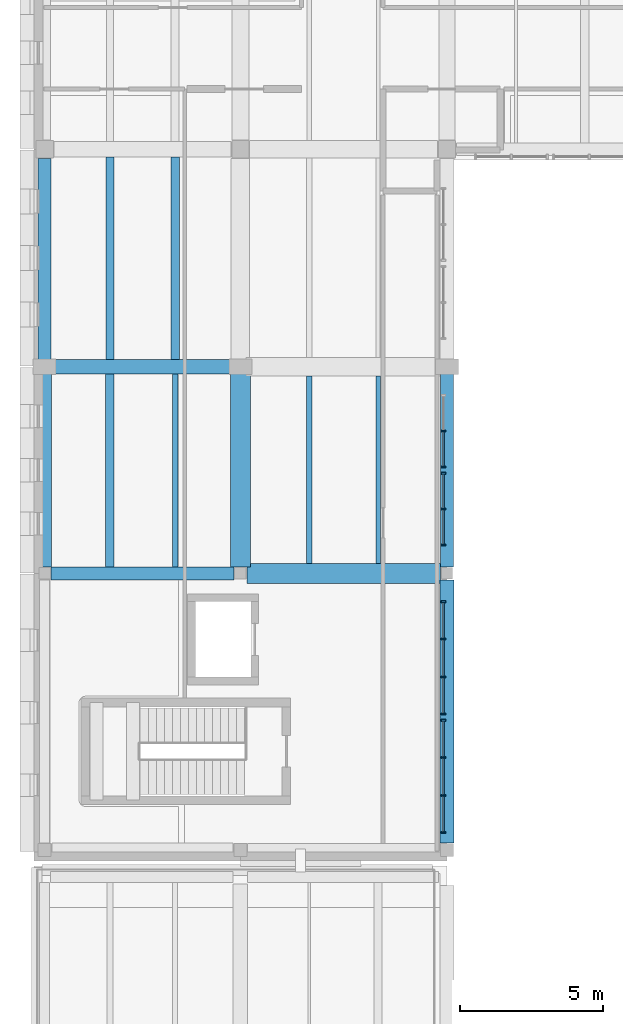
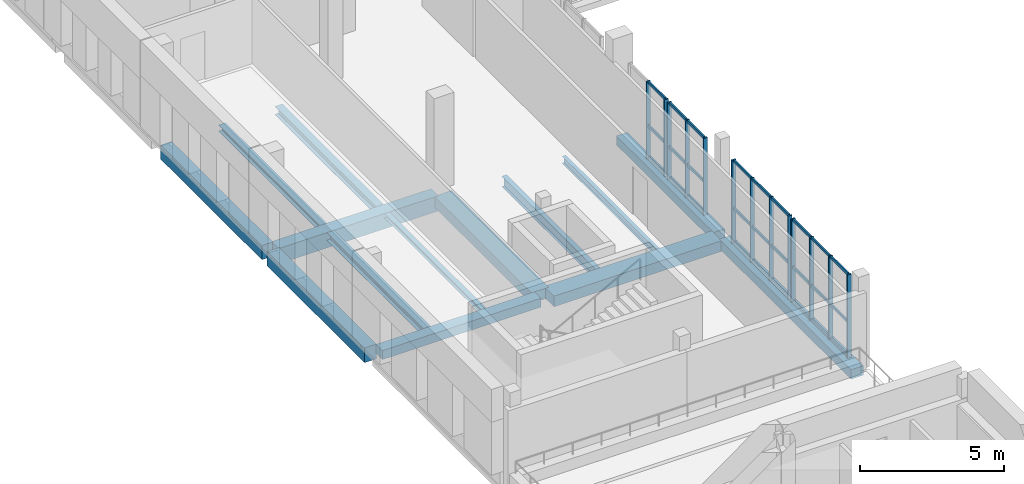
# One storey, part 14 of 56: 40 members, 14 beams, 4 elements without a shape of their own.
"""IFC4 building model written with IfcOpenShell, lengths in metres."""

from ifc_helpers import new_model, si_unit, direction, frame, origin, origin_2d, place, context, subcontext, project, spatial, rectangle, i_section, extrude, material, layer, layer_set, material_profile, profile_set, type_object, element, aggregate, save


model = new_model("IFC4")

# Units and contexts
model_context = context("Model", 3, precision=1e-05, world=origin(), true_north=direction((0.0, 1.0)))
body_context = subcontext(model_context, "Body", "Model", "MODEL_VIEW")
ifc_project = project(units=[si_unit("LENGTHUNIT", "METRE"), si_unit("AREAUNIT", "SQUARE_METRE"), si_unit("VOLUMEUNIT", "CUBIC_METRE"), si_unit("PLANEANGLEUNIT", "RADIAN"), si_unit("MASSUNIT", "GRAM", prefix="KILO")], contexts=[model_context])

# Site, building, storey
site_placement = place(None, origin())
site = spatial("IfcSite", under=ifc_project, at=site_placement, CompositionType="ELEMENT")
building_placement = place(site_placement, origin())
building = spatial("IfcBuilding", under=site, at=building_placement, Name="Vardoun Plaza Health Centre", CompositionType="ELEMENT")
storey_placement = place(building_placement, frame((0.0, 0.0, 8.699951171875)))
storey = spatial("IfcBuildingStorey", under=building, at=storey_placement, Name="L02", CompositionType="ELEMENT", Elevation=8.699951171875)

# Beams
ifc_material_1 = material(Name="Concrete C35/45", Category="concrete")
ifc_material_profile_1 = material_profile(ifc_material_1, rectangle(XDim=0.449951171875, YDim=0.3798828125, at=origin_2d()), Name="RC-BM 450x380")
ifc_profile_set_1 = profile_set([ifc_material_profile_1], Name="Concrete C35/45")
beam_type_1 = type_object("IfcBeamType", Name="B-01", PredefinedType="BEAM", material=ifc_profile_set_1)
beam_1_placement = place(storey_placement, frame((5.10498046875, 86.699951171875, -0.454833984375), z_axis=(1.0, 0.0, 0.0), x_axis=(0.0, 1.0, 0.0)))
element("IfcBeam", 1, at=beam_1_placement, inside=storey, type_object=beam_type_1, Name="V3 L02 Beam B-V3-L02-X02", PredefinedType="BEAM", context=body_context, shape_type="SweptSolid", body=[
    extrude(rectangle(XDim=0.449951171875, YDim=0.3798828125, at=origin_2d()), origin(), (0.0, 0.0, 1.0), 6.3701171875),
])
beam_2_placement = place(storey_placement, frame((18.89990234375, 86.925048828125, -0.454833984375), z_axis=(0.0, 1.0, 0.0), x_axis=(-1.0, 0.0, 0.0)))
element("IfcBeam", 2, at=beam_2_placement, inside=storey, type_object=beam_type_1, Name="V3 L02 Beam B-V3-L02-Y35", PredefinedType="BEAM", context=body_context, shape_type="SweptSolid", body=[
    extrude(rectangle(XDim=0.449951171875, YDim=0.3798828125, at=origin_2d()), origin(), (0.0, 0.0, 1.0), 6.77490234375),
])
ifc_material_2 = material(Name="Concrete C35/45", Category="concrete")
ifc_material_profile_2 = material_profile(ifc_material_2, rectangle(XDim=0.449951171875, YDim=0.60009765625, at=origin_2d()), Name="RC-BM 450x600")
ifc_profile_set_2 = profile_set([ifc_material_profile_2], Name="Concrete C35/45")
beam_type_2 = type_object("IfcBeamType", Name="B-11", PredefinedType="SPANDREL", material=ifc_profile_set_2)
beam_3_placement = place(storey_placement, frame((4.8798828125, 94.10009765625, -0.56494140625), z_axis=(0.0, 1.0, 0.0), x_axis=(-1.0, 0.0, 0.0)))
element("IfcBeam", 3, at=beam_3_placement, inside=storey, type_object=beam_type_2, Name="V3 L02 Beam B-V3-L02-Y27", PredefinedType="SPANDREL", context=body_context, shape_type="SweptSolid", body=[
    extrude(rectangle(XDim=0.449951171875, YDim=0.60009765625, at=origin_2d()), origin(), (0.0, 0.0, 1.0), 7.054931640625),
])
ifc_material_3 = material(Name="Concrete C35/45", Category="concrete")
ifc_material_profile_3 = material_profile(ifc_material_3, rectangle(XDim=0.47998046875, YDim=0.6201171875, at=origin_2d()), Name="RC-BM 480x620")
ifc_profile_set_3 = profile_set([ifc_material_profile_3], Name="Concrete C35/45")
beam_type_3 = type_object("IfcBeamType", Name="B-12", PredefinedType="SPANDREL", material=ifc_profile_set_3)
beam_4_placement = place(storey_placement, frame((4.8798828125, 86.925048828125, -0.574951171875), z_axis=(0.0, 1.0, 0.0), x_axis=(-1.0, 0.0, 0.0)))
element("IfcBeam", 4, at=beam_4_placement, inside=storey, type_object=beam_type_3, Name="V3 L02 Beam B-V3-L02-Y26", PredefinedType="SPANDREL", context=body_context, shape_type="SweptSolid", body=[
    extrude(rectangle(XDim=0.47998046875, YDim=0.6201171875, at=origin_2d()), origin(), (0.0, 0.0, 1.0), 6.77490234375),
])
ifc_material_4 = material(Name="Concrete C35/45", Category="concrete")
ifc_material_profile_4 = material_profile(ifc_material_4, rectangle(XDim=0.5, YDim=0.39990234375, at=origin_2d()), Name="RC-BM 500x400")
ifc_profile_set_4 = profile_set([ifc_material_profile_4], Name="Concrete C35/45")
beam_type_4 = type_object("IfcBeamType", Name="B-02", PredefinedType="BEAM", material=ifc_profile_set_4)
beam_5_placement = place(storey_placement, frame((18.89990234375, 77.31005859375, -0.46484375), z_axis=(0.0, 1.0, 0.0), x_axis=(-1.0, 0.0, 0.0)))
element("IfcBeam", 5, at=beam_5_placement, inside=storey, type_object=beam_type_4, Name="V3 L02 Beam B-V3-L02-Y34", PredefinedType="BEAM", context=body_context, shape_type="SweptSolid", body=[
    extrude(rectangle(XDim=0.5, YDim=0.39990234375, at=origin_2d()), origin(), (0.0, 0.0, 1.0), 9.1650390625),
])
ifc_material_5 = material(Name="Concrete C40/50", Category="concrete")
ifc_material_profile_5 = material_profile(ifc_material_5, rectangle(XDim=0.5, YDim=0.64990234375, at=origin_2d()), Name="RC-BM 500x650")
ifc_profile_set_5 = profile_set([ifc_material_profile_5], Name="Concrete C40/50")
beam_type_5 = type_object("IfcBeamType", Name="B-13", PredefinedType="BEAM", material=ifc_profile_set_5)
beam_6_placement = place(storey_placement, frame((5.080078125, 93.900146484375, -0.58984375), z_axis=(1.0, 0.0, 0.0), x_axis=(0.0, 1.0, 0.0)))
element("IfcBeam", 6, at=beam_6_placement, inside=storey, type_object=beam_type_5, Name="V3 L02 Beam B-V3-L02-X03", PredefinedType="BEAM", context=body_context, shape_type="SweptSolid", body=[
    extrude(rectangle(XDim=0.5, YDim=0.64990234375, at=origin_2d()), origin(), (0.0, 0.0, 1.0), 6.419921875),
])
ifc_material_6 = material(Name="Concrete C35/45", Category="concrete")
ifc_material_profile_6 = material_profile(ifc_material_6, rectangle(XDim=0.699951171875, YDim=0.449951171875, at=origin_2d()), Name="RC-BM 700x450")
ifc_profile_set_6 = profile_set([ifc_material_profile_6], Name="Concrete C35/45")
beam_type_6 = type_object("IfcBeamType", Name="B-06", PredefinedType="BEAM", material=ifc_profile_set_6)
beam_7_placement = place(storey_placement, frame((11.925048828125, 86.699951171875, -0.489990234375), z_axis=(1.0, 0.0, 0.0), x_axis=(0.0, 1.0, 0.0)))
element("IfcBeam", 7, at=beam_7_placement, inside=storey, type_object=beam_type_6, Name="V3 L02 Beam B-V3-L02-X08", PredefinedType="BEAM", context=body_context, shape_type="SweptSolid", body=[
    extrude(rectangle(XDim=0.699951171875, YDim=0.449951171875, at=origin_2d()), origin(), (0.0, 0.0, 1.0), 6.75),
])
beam_8_placement = place(storey_placement, frame((11.699951171875, 86.925048828125, -0.489990234375), z_axis=(0.0, 1.0, 0.0), x_axis=(-1.0, 0.0, 0.0)))
element("IfcBeam", 8, at=beam_8_placement, inside=storey, type_object=beam_type_6, Name="V3 L02 Beam B-V3-L02-Y30", PredefinedType="BEAM", context=body_context, shape_type="SweptSolid", body=[
    extrude(rectangle(XDim=0.699951171875, YDim=0.449951171875, at=origin_2d()), origin(), (0.0, 0.0, 1.0), 6.77490234375),
])
ifc_material_7 = material(Name="Steel S355J2", Category="steel")
ifc_material_profile_7 = material_profile(ifc_material_7, i_section(OverallWidth=0.199951171875, OverallDepth=0.18994140625, WebThickness=0.006591796875, FlangeThickness=0.010009765625, FilletRadius=0.01806640625, at=origin_2d()), Name="HEA 200")
ifc_profile_set_7 = profile_set([ifc_material_profile_7], Name="Steel S355J2")
beam_type_7 = type_object("IfcBeamType", Name="SB-09", PredefinedType="BEAM", material=ifc_profile_set_7)
beam_9_placement = place(storey_placement, frame((9.427001953125, 86.925048828125, -0.35986328125), z_axis=(0.0, 1.0, 0.0), x_axis=(-1.0, 0.0, 0.0)))
element("IfcBeam", 9, at=beam_9_placement, inside=storey, type_object=beam_type_7, Name="V3 L02 Secondary Floor Beam SJ-V3-L02-05", PredefinedType="BEAM", context=body_context, shape_type="SweptSolid", body=[
    extrude(i_section(OverallWidth=0.199951171875, OverallDepth=0.18994140625, WebThickness=0.006591796875, FlangeThickness=0.010009765625, FilletRadius=0.01806640625, at=origin_2d()), origin(), (0.0, 0.0, 1.0), 6.72509765625),
])
ifc_material_8 = material(Name="Steel S355J2", Category="steel")
ifc_material_profile_8 = material_profile(ifc_material_8, i_section(OverallWidth=0.280029296875, OverallDepth=0.27001953125, WebThickness=0.008056640625, FlangeThickness=0.012939453125, FilletRadius=0.02392578125, at=origin_2d()), Name="HEA 280")
ifc_profile_set_8 = profile_set([ifc_material_profile_8], Name="Steel S355J2")
beam_type_8 = type_object("IfcBeamType", Name="SB-06", PredefinedType="BEAM", material=ifc_profile_set_8)
beam_10_placement = place(storey_placement, frame((7.153076171875, 94.150146484375, -0.39990234375), z_axis=(0.0, 1.0, 0.0), x_axis=(-1.0, 0.0, 0.0)))
element("IfcBeam", 10, at=beam_10_placement, inside=storey, type_object=beam_type_8, Name="V3 L02 Secondary Floor Beam SJ-V3-L02-02", PredefinedType="BEAM", context=body_context, shape_type="SweptSolid", body=[
    extrude(i_section(OverallWidth=0.280029296875, OverallDepth=0.27001953125, WebThickness=0.008056640625, FlangeThickness=0.012939453125, FilletRadius=0.02392578125, at=origin_2d()), origin(), (0.0, 0.0, 1.0), 7.054931640625),
])
ifc_material_9 = material(Name="Steel S355J2", Category="steel")
ifc_material_profile_9 = material_profile(ifc_material_9, i_section(OverallWidth=0.300048828125, OverallDepth=0.330078125, WebThickness=0.009521484375, FlangeThickness=0.0166015625, FilletRadius=0.027099609375, at=origin_2d()), Name="HEA 340")
ifc_profile_set_9 = profile_set([ifc_material_profile_9], Name="Steel S355J2")
beam_type_9 = type_object("IfcBeamType", Name="SB-04", PredefinedType="BEAM", material=ifc_profile_set_9)
beam_11_placement = place(storey_placement, frame((7.153076171875, 86.925048828125, -0.429931640625), z_axis=(0.0, 1.0, 0.0), x_axis=(-1.0, 0.0, 0.0)))
element("IfcBeam", 11, at=beam_11_placement, inside=storey, type_object=beam_type_9, Name="V3 L02 Secondary Floor Beam SJ-V3-L02-01", PredefinedType="BEAM", context=body_context, shape_type="SweptSolid", body=[
    extrude(i_section(OverallWidth=0.300048828125, OverallDepth=0.330078125, WebThickness=0.009521484375, FlangeThickness=0.0166015625, FilletRadius=0.027099609375, at=origin_2d()), origin(), (0.0, 0.0, 1.0), 6.72509765625),
])
ifc_material_10 = material(Name="Steel S355J2", Category="steel")
ifc_material_profile_10 = material_profile(ifc_material_10, i_section(OverallWidth=0.300048828125, OverallDepth=0.360107421875, WebThickness=0.012451171875, FlangeThickness=0.0224609375, FilletRadius=0.027099609375, at=origin_2d()), Name="HEB 360")
ifc_profile_set_10 = profile_set([ifc_material_profile_10], Name="Steel S355J2")
beam_type_10 = type_object("IfcBeamType", Name="RB-04", PredefinedType="BEAM", material=ifc_profile_set_10)
beam_12_placement = place(storey_placement, frame((9.427001953125, 94.150146484375, -0.445068359375), z_axis=(0.0, 1.0, 0.0), x_axis=(-1.0, 0.0, 0.0)))
element("IfcBeam", 12, at=beam_12_placement, inside=storey, type_object=beam_type_10, Name="V3 L02 Secondary Floor Beam SJ-V3-L02-06", PredefinedType="BEAM", context=body_context, shape_type="SweptSolid", body=[
    extrude(i_section(OverallWidth=0.300048828125, OverallDepth=0.360107421875, WebThickness=0.012451171875, FlangeThickness=0.0224609375, FilletRadius=0.027099609375, at=origin_2d()), origin(), (0.0, 0.0, 1.0), 7.054931640625),
])
ifc_material_11 = material(Name="Steel S355J2", Category="steel")
ifc_material_profile_11 = material_profile(ifc_material_11, i_section(OverallWidth=0.14990234375, OverallDepth=0.300048828125, WebThickness=0.007080078125, FlangeThickness=0.0107421875, FilletRadius=0.014892578125, at=origin_2d()), Name="IPE 300")
ifc_profile_set_11 = profile_set([ifc_material_profile_11], Name="Steel S355J2")
beam_type_11 = type_object("IfcBeamType", Name="SB-15", PredefinedType="JOIST", material=ifc_profile_set_11)
beam_13_placement = place(storey_placement, frame((16.500244140625, 87.050048828125, -0.4150390625), z_axis=(0.0, 1.0, 0.0), x_axis=(-1.0, 0.0, 0.0)))
element("IfcBeam", 13, at=beam_13_placement, inside=storey, type_object=beam_type_11, Name="V3 L02 Secondary Floor Beam SJ-V3-L02-13", PredefinedType="JOIST", context=body_context, shape_type="SweptSolid", body=[
    extrude(i_section(OverallWidth=0.14990234375, OverallDepth=0.300048828125, WebThickness=0.007080078125, FlangeThickness=0.0107421875, FilletRadius=0.014892578125, at=origin_2d()), origin(), (0.0, 0.0, 1.0), 6.52490234375),
])
ifc_material_12 = material(Name="Steel S355J2", Category="steel")
ifc_material_profile_12 = material_profile(ifc_material_12, i_section(OverallWidth=0.18994140625, OverallDepth=0.449951171875, WebThickness=0.009521484375, FlangeThickness=0.0146484375, FilletRadius=0.02099609375, at=origin_2d()), Name="IPE 450")
ifc_profile_set_12 = profile_set([ifc_material_profile_12], Name="Steel S355J2")
beam_type_12 = type_object("IfcBeamType", Name="SB-11", PredefinedType="BEAM", material=ifc_profile_set_12)
beam_14_placement = place(storey_placement, frame((14.099853515625, 87.050048828125, -0.489990234375), z_axis=(0.0, 1.0, 0.0), x_axis=(-1.0, 0.0, 0.0)))
element("IfcBeam", 14, at=beam_14_placement, inside=storey, type_object=beam_type_12, Name="V3 L02 Secondary Floor Beam SJ-V3-L02-09", PredefinedType="BEAM", context=body_context, shape_type="SweptSolid", body=[
    extrude(i_section(OverallWidth=0.18994140625, OverallDepth=0.449951171875, WebThickness=0.009521484375, FlangeThickness=0.0146484375, FilletRadius=0.02099609375, at=origin_2d()), origin(), (0.0, 0.0, 1.0), 6.52490234375),
])

# Curtain wall, members
ifc_material_13 = material(Name="Aluminium Alloy EN AW-6063-T6 and Low-E Glass", Category="aluminium")
ifc_layer = layer(ifc_material_13, 0.159912109375)
ifc_layer_set = layer_set([ifc_layer], Name="Aluminium Alloy EN AW-6063-T6 and Low-E Glass")
curtain_wall_type = type_object("IfcCurtainWallType", Name="CW-02", PredefinedType="USERDEFINED", material=ifc_layer_set)
curtain_wall_1_placement = place(storey_placement, origin())
curtain_wall_1 = element("IfcCurtainWall", 15, at=curtain_wall_1_placement, inside=storey, type_object=curtain_wall_type, Name="Curtain Wall CW-V3-083", ObjectType="COURTYARD_CURTAIN_WALL", PredefinedType="USERDEFINED")
ifc_material_14 = material(Name="Aluminium Alloy EN AW-6063-T6", Category="aluminium")
ifc_material_profile_13 = material_profile(ifc_material_14, rectangle(XDim=0.159912109375, YDim=0.06005859375, at=origin_2d()), Name="CWM 60x160")
ifc_profile_set_13 = profile_set([ifc_material_profile_13], Name="Aluminium Alloy EN AW-6063-T6")
member_type_1 = type_object("IfcMemberType", Name="CW-M1", PredefinedType="MULLION", material=ifc_profile_set_13)
member_1_placement = place(storey_placement, frame((18.780029296875, 91.659912109375, 0.0), z_axis=(0.0, 0.0, 1.0), x_axis=(1.0, 0.0, 0.0)))
member_1 = element("IfcMember", 16, at=member_1_placement, type_object=member_type_1, Name="CW-V3-083 mullion 2", PredefinedType="MULLION", context=body_context, shape_type="SweptSolid", body=[
    extrude(rectangle(XDim=0.159912109375, YDim=0.06005859375, at=origin_2d()), origin(), (0.0, 0.0, 1.0), 3.27001953125),
])
member_2_placement = place(storey_placement, frame((18.780029296875, 90.409912109375, 0.0), z_axis=(0.0, 0.0, 1.0), x_axis=(1.0, 0.0, 0.0)))
member_2 = element("IfcMember", 17, at=member_2_placement, type_object=member_type_1, Name="CW-V3-083 mullion 3", PredefinedType="MULLION", context=body_context, shape_type="SweptSolid", body=[
    extrude(rectangle(XDim=0.159912109375, YDim=0.06005859375, at=origin_2d()), origin(), (0.0, 0.0, 1.0), 3.27001953125),
])

curtain_wall_2_placement = place(storey_placement, origin())
curtain_wall_2 = element("IfcCurtainWall", 18, at=curtain_wall_2_placement, inside=storey, type_object=curtain_wall_type, Name="Curtain Wall CW-V3-084", ObjectType="COURTYARD_CURTAIN_WALL", PredefinedType="USERDEFINED")
member_3_placement = place(storey_placement, frame((18.780029296875, 90.190185546875, 0.0), z_axis=(0.0, 0.0, 1.0), x_axis=(1.0, 0.0, 0.0)))
member_3 = element("IfcMember", 19, at=member_3_placement, type_object=member_type_1, Name="CW-V3-084 mullion 1", PredefinedType="MULLION", context=body_context, shape_type="SweptSolid", body=[
    extrude(rectangle(XDim=0.159912109375, YDim=0.06005859375, at=origin_2d()), origin(), (0.0, 0.0, 1.0), 3.27001953125),
])
member_4_placement = place(storey_placement, frame((18.780029296875, 88.940185546875, 0.0), z_axis=(0.0, 0.0, 1.0), x_axis=(1.0, 0.0, 0.0)))
member_4 = element("IfcMember", 20, at=member_4_placement, type_object=member_type_1, Name="CW-V3-084 mullion 2", PredefinedType="MULLION", context=body_context, shape_type="SweptSolid", body=[
    extrude(rectangle(XDim=0.159912109375, YDim=0.06005859375, at=origin_2d()), origin(), (0.0, 0.0, 1.0), 3.27001953125),
])
member_5_placement = place(storey_placement, frame((18.780029296875, 87.690185546875, 0.0), z_axis=(0.0, 0.0, 1.0), x_axis=(1.0, 0.0, 0.0)))
member_5 = element("IfcMember", 21, at=member_5_placement, type_object=member_type_1, Name="CW-V3-084 mullion 3", PredefinedType="MULLION", context=body_context, shape_type="SweptSolid", body=[
    extrude(rectangle(XDim=0.159912109375, YDim=0.06005859375, at=origin_2d()), origin(), (0.0, 0.0, 1.0), 3.27001953125),
])

curtain_wall_3_placement = place(storey_placement, origin())
curtain_wall_3 = element("IfcCurtainWall", 22, at=curtain_wall_3_placement, inside=storey, type_object=curtain_wall_type, Name="Curtain Wall CW-V3-085", ObjectType="COURTYARD_CURTAIN_WALL", PredefinedType="USERDEFINED")
member_6_placement = place(storey_placement, frame((18.780029296875, 85.7099609375, 0.0), z_axis=(0.0, 0.0, 1.0), x_axis=(1.0, 0.0, 0.0)))
member_6 = element("IfcMember", 23, at=member_6_placement, type_object=member_type_1, Name="CW-V3-085 mullion 1", PredefinedType="MULLION", context=body_context, shape_type="SweptSolid", body=[
    extrude(rectangle(XDim=0.159912109375, YDim=0.06005859375, at=origin_2d()), origin(), (0.0, 0.0, 1.0), 3.5400390625),
])
member_7_placement = place(storey_placement, frame((18.780029296875, 84.416748046875, 0.0), z_axis=(0.0, 0.0, 1.0), x_axis=(1.0, 0.0, 0.0)))
member_7 = element("IfcMember", 24, at=member_7_placement, type_object=member_type_1, Name="CW-V3-085 mullion 2", PredefinedType="MULLION", context=body_context, shape_type="SweptSolid", body=[
    extrude(rectangle(XDim=0.159912109375, YDim=0.06005859375, at=origin_2d()), origin(), (0.0, 0.0, 1.0), 3.5400390625),
])
member_8_placement = place(storey_placement, frame((18.780029296875, 83.09326171875, 0.0), z_axis=(0.0, 0.0, 1.0), x_axis=(1.0, 0.0, 0.0)))
member_8 = element("IfcMember", 25, at=member_8_placement, type_object=member_type_1, Name="CW-V3-085 mullion 3", PredefinedType="MULLION", context=body_context, shape_type="SweptSolid", body=[
    extrude(rectangle(XDim=0.159912109375, YDim=0.06005859375, at=origin_2d()), origin(), (0.0, 0.0, 1.0), 3.5400390625),
])
member_9_placement = place(storey_placement, frame((18.780029296875, 81.800048828125, 0.0), z_axis=(0.0, 0.0, 1.0), x_axis=(1.0, 0.0, 0.0)))
member_9 = element("IfcMember", 26, at=member_9_placement, type_object=member_type_1, Name="CW-V3-085 mullion 4", PredefinedType="MULLION", context=body_context, shape_type="SweptSolid", body=[
    extrude(rectangle(XDim=0.159912109375, YDim=0.06005859375, at=origin_2d()), origin(), (0.0, 0.0, 1.0), 3.5400390625),
])

curtain_wall_4_placement = place(storey_placement, origin())
curtain_wall_4 = element("IfcCurtainWall", 27, at=curtain_wall_4_placement, inside=storey, type_object=curtain_wall_type, Name="Curtain Wall CW-V3-086", ObjectType="COURTYARD_CURTAIN_WALL", PredefinedType="USERDEFINED")
member_10_placement = place(storey_placement, frame((18.780029296875, 81.580078125, 0.0), z_axis=(0.0, 0.0, 1.0), x_axis=(1.0, 0.0, 0.0)))
member_10 = element("IfcMember", 28, at=member_10_placement, type_object=member_type_1, Name="CW-V3-086 mullion 1", PredefinedType="MULLION", context=body_context, shape_type="SweptSolid", body=[
    extrude(rectangle(XDim=0.159912109375, YDim=0.06005859375, at=origin_2d()), origin(), (0.0, 0.0, 1.0), 3.5400390625),
])
member_11_placement = place(storey_placement, frame((18.780029296875, 80.28662109375, 0.0), z_axis=(0.0, 0.0, 1.0), x_axis=(1.0, 0.0, 0.0)))
member_11 = element("IfcMember", 29, at=member_11_placement, type_object=member_type_1, Name="CW-V3-086 mullion 2", PredefinedType="MULLION", context=body_context, shape_type="SweptSolid", body=[
    extrude(rectangle(XDim=0.159912109375, YDim=0.06005859375, at=origin_2d()), origin(), (0.0, 0.0, 1.0), 3.5400390625),
])
member_12_placement = place(storey_placement, frame((18.780029296875, 78.96337890625, 0.0), z_axis=(0.0, 0.0, 1.0), x_axis=(1.0, 0.0, 0.0)))
member_12 = element("IfcMember", 30, at=member_12_placement, type_object=member_type_1, Name="CW-V3-086 mullion 3", PredefinedType="MULLION", context=body_context, shape_type="SweptSolid", body=[
    extrude(rectangle(XDim=0.159912109375, YDim=0.06005859375, at=origin_2d()), origin(), (0.0, 0.0, 1.0), 3.5400390625),
])
member_13_placement = place(storey_placement, frame((18.780029296875, 77.669921875, 0.0), z_axis=(0.0, 0.0, 1.0), x_axis=(1.0, 0.0, 0.0)))
member_13 = element("IfcMember", 31, at=member_13_placement, type_object=member_type_1, Name="CW-V3-086 mullion 4", PredefinedType="MULLION", context=body_context, shape_type="SweptSolid", body=[
    extrude(rectangle(XDim=0.159912109375, YDim=0.06005859375, at=origin_2d()), origin(), (0.0, 0.0, 1.0), 3.5400390625),
])

# Member
ifc_material_15 = material(Name="Aluminium Alloy EN AW-6063-T6", Category="aluminium")
ifc_material_profile_14 = material_profile(ifc_material_15, rectangle(XDim=0.06005859375, YDim=0.1201171875, at=origin_2d()), Name="CWT 60x120")
ifc_profile_set_14 = profile_set([ifc_material_profile_14], Name="Aluminium Alloy EN AW-6063-T6")
member_type_2 = type_object("IfcMemberType", Name="CW-T1", PredefinedType="USERDEFINED", material=ifc_profile_set_14)
member_14_placement = place(storey_placement, frame((18.780029296875, 91.6298828125, 0.030029296875), z_axis=(0.0, -1.0, 0.0), x_axis=(1.0, 0.0, 0.0)))
member_14 = element("IfcMember", 32, at=member_14_placement, type_object=member_type_2, Name="CW-V3-083 transom 2.1", ObjectType="TRANSOM", PredefinedType="USERDEFINED", context=body_context, shape_type="SweptSolid", body=[
    extrude(rectangle(XDim=0.06005859375, YDim=0.1201171875, at=origin_2d()), origin(), (0.0, 0.0, 1.0), 1.189697265625),
])

member_15_placement = place(storey_placement, frame((18.780029296875, 91.6298828125, 1.37353515625), z_axis=(0.0, -1.0, 0.0), x_axis=(1.0, 0.0, 0.0)))
member_15 = element("IfcMember", 33, at=member_15_placement, type_object=member_type_2, Name="CW-V3-083 transom 2.2", ObjectType="TRANSOM", PredefinedType="USERDEFINED", context=body_context, shape_type="SweptSolid", body=[
    extrude(rectangle(XDim=0.06005859375, YDim=0.1201171875, at=origin_2d()), origin(), (0.0, 0.0, 1.0), 1.189697265625),
])

member_16_placement = place(storey_placement, frame((18.780029296875, 91.6298828125, 3.239990234375), z_axis=(0.0, -1.0, 0.0), x_axis=(1.0, 0.0, 0.0)))
member_16 = element("IfcMember", 34, at=member_16_placement, type_object=member_type_2, Name="CW-V3-083 transom 2.3", ObjectType="TRANSOM", PredefinedType="USERDEFINED", context=body_context, shape_type="SweptSolid", body=[
    extrude(rectangle(XDim=0.06005859375, YDim=0.1201171875, at=origin_2d()), origin(), (0.0, 0.0, 1.0), 1.189697265625),
])

aggregate(curtain_wall_1, [member_1, member_2, member_14, member_15, member_16])

member_17_placement = place(storey_placement, frame((18.780029296875, 90.159912109375, 0.030029296875), z_axis=(0.0, -1.0, 0.0), x_axis=(1.0, 0.0, 0.0)))
member_17 = element("IfcMember", 35, at=member_17_placement, type_object=member_type_2, Name="CW-V3-084 transom 1.1", ObjectType="TRANSOM", PredefinedType="USERDEFINED", context=body_context, shape_type="SweptSolid", body=[
    extrude(rectangle(XDim=0.06005859375, YDim=0.1201171875, at=origin_2d()), origin(), (0.0, 0.0, 1.0), 1.18994140625),
])

member_18_placement = place(storey_placement, frame((18.780029296875, 90.159912109375, 1.37353515625), z_axis=(0.0, -1.0, 0.0), x_axis=(1.0, 0.0, 0.0)))
member_18 = element("IfcMember", 36, at=member_18_placement, type_object=member_type_2, Name="CW-V3-084 transom 1.2", ObjectType="TRANSOM", PredefinedType="USERDEFINED", context=body_context, shape_type="SweptSolid", body=[
    extrude(rectangle(XDim=0.06005859375, YDim=0.1201171875, at=origin_2d()), origin(), (0.0, 0.0, 1.0), 1.18994140625),
])

member_19_placement = place(storey_placement, frame((18.780029296875, 90.159912109375, 3.239990234375), z_axis=(0.0, -1.0, 0.0), x_axis=(1.0, 0.0, 0.0)))
member_19 = element("IfcMember", 37, at=member_19_placement, type_object=member_type_2, Name="CW-V3-084 transom 1.3", ObjectType="TRANSOM", PredefinedType="USERDEFINED", context=body_context, shape_type="SweptSolid", body=[
    extrude(rectangle(XDim=0.06005859375, YDim=0.1201171875, at=origin_2d()), origin(), (0.0, 0.0, 1.0), 1.18994140625),
])

member_20_placement = place(storey_placement, frame((18.780029296875, 88.909912109375, 0.030029296875), z_axis=(0.0, -1.0, 0.0), x_axis=(1.0, 0.0, 0.0)))
member_20 = element("IfcMember", 38, at=member_20_placement, type_object=member_type_2, Name="CW-V3-084 transom 2.1", ObjectType="TRANSOM", PredefinedType="USERDEFINED", context=body_context, shape_type="SweptSolid", body=[
    extrude(rectangle(XDim=0.06005859375, YDim=0.1201171875, at=origin_2d()), origin(), (0.0, 0.0, 1.0), 1.18994140625),
])

member_21_placement = place(storey_placement, frame((18.780029296875, 88.909912109375, 1.37353515625), z_axis=(0.0, -1.0, 0.0), x_axis=(1.0, 0.0, 0.0)))
member_21 = element("IfcMember", 39, at=member_21_placement, type_object=member_type_2, Name="CW-V3-084 transom 2.2", ObjectType="TRANSOM", PredefinedType="USERDEFINED", context=body_context, shape_type="SweptSolid", body=[
    extrude(rectangle(XDim=0.06005859375, YDim=0.1201171875, at=origin_2d()), origin(), (0.0, 0.0, 1.0), 1.18994140625),
])

member_22_placement = place(storey_placement, frame((18.780029296875, 88.909912109375, 3.239990234375), z_axis=(0.0, -1.0, 0.0), x_axis=(1.0, 0.0, 0.0)))
member_22 = element("IfcMember", 40, at=member_22_placement, type_object=member_type_2, Name="CW-V3-084 transom 2.3", ObjectType="TRANSOM", PredefinedType="USERDEFINED", context=body_context, shape_type="SweptSolid", body=[
    extrude(rectangle(XDim=0.06005859375, YDim=0.1201171875, at=origin_2d()), origin(), (0.0, 0.0, 1.0), 1.18994140625),
])

aggregate(curtain_wall_2, [member_3, member_4, member_5, member_17, member_18, member_19, member_20, member_21, member_22])

member_23_placement = place(storey_placement, frame((18.780029296875, 85.679931640625, 0.030029296875), z_axis=(0.0, -1.0, 0.0), x_axis=(1.0, 0.0, 0.0)))
member_23 = element("IfcMember", 41, at=member_23_placement, type_object=member_type_2, Name="CW-V3-085 transom 1.1", ObjectType="TRANSOM", PredefinedType="USERDEFINED", context=body_context, shape_type="SweptSolid", body=[
    extrude(rectangle(XDim=0.06005859375, YDim=0.1201171875, at=origin_2d()), origin(), (0.0, 0.0, 1.0), 1.233154296875),
])

member_24_placement = place(storey_placement, frame((18.780029296875, 85.679931640625, 1.48681640625), z_axis=(0.0, -1.0, 0.0), x_axis=(1.0, 0.0, 0.0)))
member_24 = element("IfcMember", 42, at=member_24_placement, type_object=member_type_2, Name="CW-V3-085 transom 1.2", ObjectType="TRANSOM", PredefinedType="USERDEFINED", context=body_context, shape_type="SweptSolid", body=[
    extrude(rectangle(XDim=0.06005859375, YDim=0.1201171875, at=origin_2d()), origin(), (0.0, 0.0, 1.0), 1.233154296875),
])

member_25_placement = place(storey_placement, frame((18.780029296875, 85.679931640625, 3.510009765625), z_axis=(0.0, -1.0, 0.0), x_axis=(1.0, 0.0, 0.0)))
member_25 = element("IfcMember", 43, at=member_25_placement, type_object=member_type_2, Name="CW-V3-085 transom 1.3", ObjectType="TRANSOM", PredefinedType="USERDEFINED", context=body_context, shape_type="SweptSolid", body=[
    extrude(rectangle(XDim=0.06005859375, YDim=0.1201171875, at=origin_2d()), origin(), (0.0, 0.0, 1.0), 1.233154296875),
])

member_26_placement = place(storey_placement, frame((18.780029296875, 84.38671875, 0.030029296875), z_axis=(0.0, -1.0, 0.0), x_axis=(1.0, 0.0, 0.0)))
member_26 = element("IfcMember", 44, at=member_26_placement, type_object=member_type_2, Name="CW-V3-085 transom 2.1", ObjectType="TRANSOM", PredefinedType="USERDEFINED", context=body_context, shape_type="SweptSolid", body=[
    extrude(rectangle(XDim=0.06005859375, YDim=0.1201171875, at=origin_2d()), origin(), (0.0, 0.0, 1.0), 1.263427734375),
])

member_27_placement = place(storey_placement, frame((18.780029296875, 84.38671875, 1.48681640625), z_axis=(0.0, -1.0, 0.0), x_axis=(1.0, 0.0, 0.0)))
member_27 = element("IfcMember", 45, at=member_27_placement, type_object=member_type_2, Name="CW-V3-085 transom 2.2", ObjectType="TRANSOM", PredefinedType="USERDEFINED", context=body_context, shape_type="SweptSolid", body=[
    extrude(rectangle(XDim=0.06005859375, YDim=0.1201171875, at=origin_2d()), origin(), (0.0, 0.0, 1.0), 1.263427734375),
])

member_28_placement = place(storey_placement, frame((18.780029296875, 84.38671875, 3.510009765625), z_axis=(0.0, -1.0, 0.0), x_axis=(1.0, 0.0, 0.0)))
member_28 = element("IfcMember", 46, at=member_28_placement, type_object=member_type_2, Name="CW-V3-085 transom 2.3", ObjectType="TRANSOM", PredefinedType="USERDEFINED", context=body_context, shape_type="SweptSolid", body=[
    extrude(rectangle(XDim=0.06005859375, YDim=0.1201171875, at=origin_2d()), origin(), (0.0, 0.0, 1.0), 1.263427734375),
])

member_29_placement = place(storey_placement, frame((18.780029296875, 83.063232421875, 0.030029296875), z_axis=(0.0, -1.0, 0.0), x_axis=(1.0, 0.0, 0.0)))
member_29 = element("IfcMember", 47, at=member_29_placement, type_object=member_type_2, Name="CW-V3-085 transom 3.1", ObjectType="TRANSOM", PredefinedType="USERDEFINED", context=body_context, shape_type="SweptSolid", body=[
    extrude(rectangle(XDim=0.06005859375, YDim=0.1201171875, at=origin_2d()), origin(), (0.0, 0.0, 1.0), 1.233154296875),
])

member_30_placement = place(storey_placement, frame((18.780029296875, 83.063232421875, 1.48681640625), z_axis=(0.0, -1.0, 0.0), x_axis=(1.0, 0.0, 0.0)))
member_30 = element("IfcMember", 48, at=member_30_placement, type_object=member_type_2, Name="CW-V3-085 transom 3.2", ObjectType="TRANSOM", PredefinedType="USERDEFINED", context=body_context, shape_type="SweptSolid", body=[
    extrude(rectangle(XDim=0.06005859375, YDim=0.1201171875, at=origin_2d()), origin(), (0.0, 0.0, 1.0), 1.233154296875),
])

member_31_placement = place(storey_placement, frame((18.780029296875, 83.063232421875, 3.510009765625), z_axis=(0.0, -1.0, 0.0), x_axis=(1.0, 0.0, 0.0)))
member_31 = element("IfcMember", 49, at=member_31_placement, type_object=member_type_2, Name="CW-V3-085 transom 3.3", ObjectType="TRANSOM", PredefinedType="USERDEFINED", context=body_context, shape_type="SweptSolid", body=[
    extrude(rectangle(XDim=0.06005859375, YDim=0.1201171875, at=origin_2d()), origin(), (0.0, 0.0, 1.0), 1.233154296875),
])

aggregate(curtain_wall_3, [member_6, member_7, member_8, member_9, member_23, member_24, member_25, member_26, member_27, member_28, member_29, member_30, member_31])

member_32_placement = place(storey_placement, frame((18.780029296875, 81.550048828125, 0.030029296875), z_axis=(0.0, -1.0, 0.0), x_axis=(1.0, 0.0, 0.0)))
member_32 = element("IfcMember", 50, at=member_32_placement, type_object=member_type_2, Name="CW-V3-086 transom 1.1", ObjectType="TRANSOM", PredefinedType="USERDEFINED", context=body_context, shape_type="SweptSolid", body=[
    extrude(rectangle(XDim=0.06005859375, YDim=0.1201171875, at=origin_2d()), origin(), (0.0, 0.0, 1.0), 1.2333984375),
])

member_33_placement = place(storey_placement, frame((18.780029296875, 81.550048828125, 1.48681640625), z_axis=(0.0, -1.0, 0.0), x_axis=(1.0, 0.0, 0.0)))
member_33 = element("IfcMember", 51, at=member_33_placement, type_object=member_type_2, Name="CW-V3-086 transom 1.2", ObjectType="TRANSOM", PredefinedType="USERDEFINED", context=body_context, shape_type="SweptSolid", body=[
    extrude(rectangle(XDim=0.06005859375, YDim=0.1201171875, at=origin_2d()), origin(), (0.0, 0.0, 1.0), 1.2333984375),
])

member_34_placement = place(storey_placement, frame((18.780029296875, 81.550048828125, 3.510009765625), z_axis=(0.0, -1.0, 0.0), x_axis=(1.0, 0.0, 0.0)))
member_34 = element("IfcMember", 52, at=member_34_placement, type_object=member_type_2, Name="CW-V3-086 transom 1.3", ObjectType="TRANSOM", PredefinedType="USERDEFINED", context=body_context, shape_type="SweptSolid", body=[
    extrude(rectangle(XDim=0.06005859375, YDim=0.1201171875, at=origin_2d()), origin(), (0.0, 0.0, 1.0), 1.2333984375),
])

member_35_placement = place(storey_placement, frame((18.780029296875, 80.256591796875, 0.030029296875), z_axis=(0.0, -1.0, 0.0), x_axis=(1.0, 0.0, 0.0)))
member_35 = element("IfcMember", 53, at=member_35_placement, type_object=member_type_2, Name="CW-V3-086 transom 2.1", ObjectType="TRANSOM", PredefinedType="USERDEFINED", context=body_context, shape_type="SweptSolid", body=[
    extrude(rectangle(XDim=0.06005859375, YDim=0.1201171875, at=origin_2d()), origin(), (0.0, 0.0, 1.0), 1.26318359375),
])

member_36_placement = place(storey_placement, frame((18.780029296875, 80.256591796875, 1.48681640625), z_axis=(0.0, -1.0, 0.0), x_axis=(1.0, 0.0, 0.0)))
member_36 = element("IfcMember", 54, at=member_36_placement, type_object=member_type_2, Name="CW-V3-086 transom 2.2", ObjectType="TRANSOM", PredefinedType="USERDEFINED", context=body_context, shape_type="SweptSolid", body=[
    extrude(rectangle(XDim=0.06005859375, YDim=0.1201171875, at=origin_2d()), origin(), (0.0, 0.0, 1.0), 1.26318359375),
])

member_37_placement = place(storey_placement, frame((18.780029296875, 80.256591796875, 3.510009765625), z_axis=(0.0, -1.0, 0.0), x_axis=(1.0, 0.0, 0.0)))
member_37 = element("IfcMember", 55, at=member_37_placement, type_object=member_type_2, Name="CW-V3-086 transom 2.3", ObjectType="TRANSOM", PredefinedType="USERDEFINED", context=body_context, shape_type="SweptSolid", body=[
    extrude(rectangle(XDim=0.06005859375, YDim=0.1201171875, at=origin_2d()), origin(), (0.0, 0.0, 1.0), 1.26318359375),
])

member_38_placement = place(storey_placement, frame((18.780029296875, 78.933349609375, 0.030029296875), z_axis=(0.0, -1.0, 0.0), x_axis=(1.0, 0.0, 0.0)))
member_38 = element("IfcMember", 56, at=member_38_placement, type_object=member_type_2, Name="CW-V3-086 transom 3.1", ObjectType="TRANSOM", PredefinedType="USERDEFINED", context=body_context, shape_type="SweptSolid", body=[
    extrude(rectangle(XDim=0.06005859375, YDim=0.1201171875, at=origin_2d()), origin(), (0.0, 0.0, 1.0), 1.2333984375),
])

member_39_placement = place(storey_placement, frame((18.780029296875, 78.933349609375, 1.48681640625), z_axis=(0.0, -1.0, 0.0), x_axis=(1.0, 0.0, 0.0)))
member_39 = element("IfcMember", 57, at=member_39_placement, type_object=member_type_2, Name="CW-V3-086 transom 3.2", ObjectType="TRANSOM", PredefinedType="USERDEFINED", context=body_context, shape_type="SweptSolid", body=[
    extrude(rectangle(XDim=0.06005859375, YDim=0.1201171875, at=origin_2d()), origin(), (0.0, 0.0, 1.0), 1.2333984375),
])

member_40_placement = place(storey_placement, frame((18.780029296875, 78.933349609375, 3.510009765625), z_axis=(0.0, -1.0, 0.0), x_axis=(1.0, 0.0, 0.0)))
member_40 = element("IfcMember", 58, at=member_40_placement, type_object=member_type_2, Name="CW-V3-086 transom 3.3", ObjectType="TRANSOM", PredefinedType="USERDEFINED", context=body_context, shape_type="SweptSolid", body=[
    extrude(rectangle(XDim=0.06005859375, YDim=0.1201171875, at=origin_2d()), origin(), (0.0, 0.0, 1.0), 1.2333984375),
])

aggregate(curtain_wall_4, [member_10, member_11, member_12, member_13, member_32, member_33, member_34, member_35, member_36, member_37, member_38, member_39, member_40])

save(model, "model.ifc")
